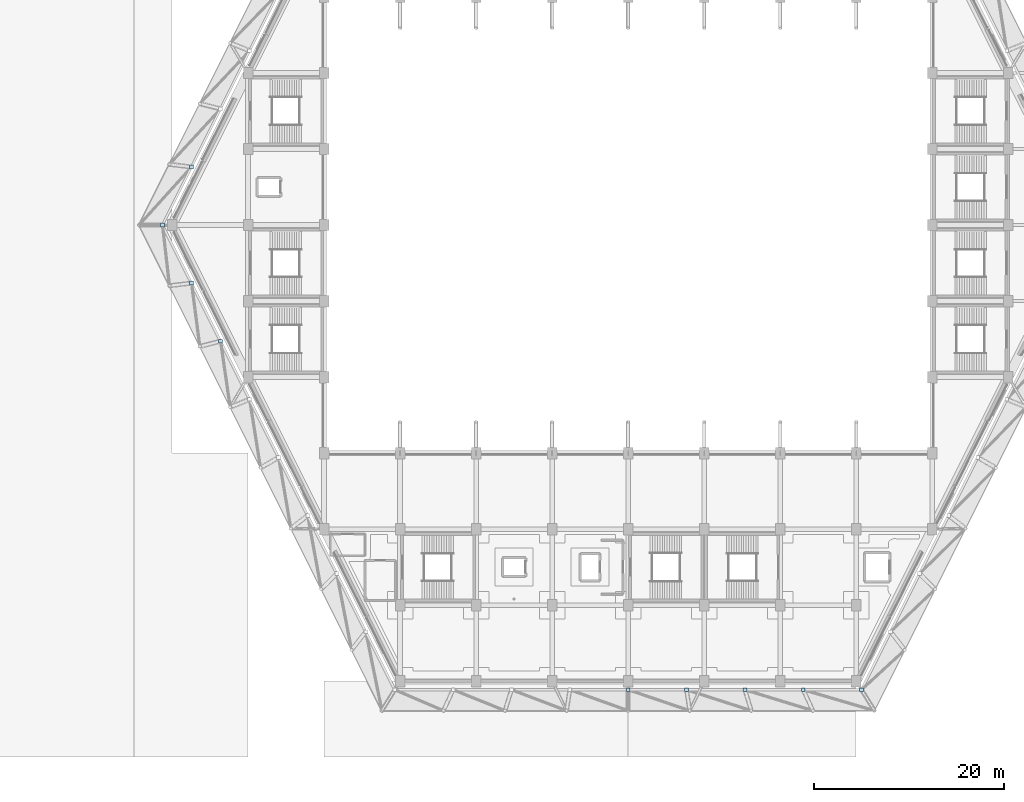
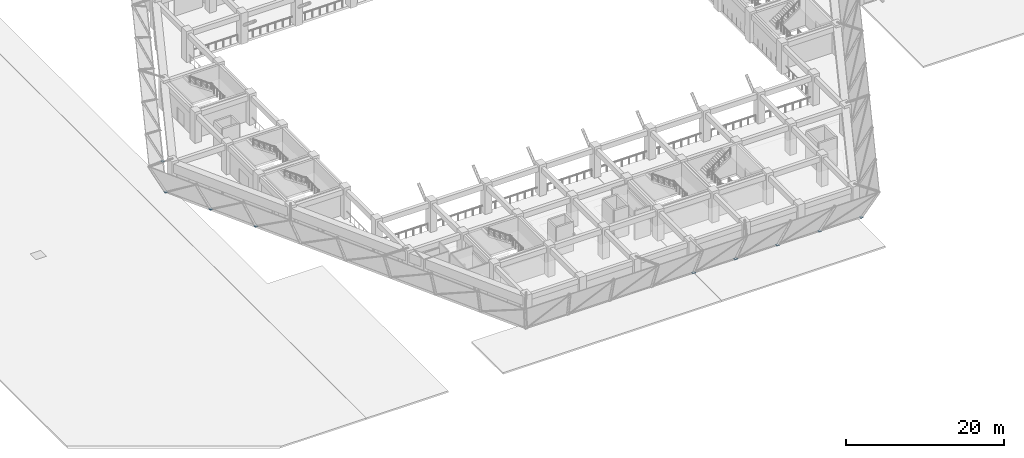
# One storey, part 22 of 46: 9 plates.
"""IFC4 building model written with IfcOpenShell, lengths in metres."""

from ifc_helpers import new_model, si_unit, direction, frame, origin, origin_2d, place, context, subcontext, project, spatial, rectangle, extrude, material, layer, layer_set, type_object, element, save


model = new_model("IFC4")

# Units and contexts
model_context = context("Model", 3, precision=1e-05, world=origin(), true_north=direction((0.0, 1.0)))
body_context = subcontext(model_context, "Body", "Model", "MODEL_VIEW")
ifc_project = project(units=[si_unit("LENGTHUNIT", "METRE"), si_unit("AREAUNIT", "SQUARE_METRE"), si_unit("VOLUMEUNIT", "CUBIC_METRE"), si_unit("PLANEANGLEUNIT", "RADIAN"), si_unit("MASSUNIT", "GRAM", prefix="KILO")], contexts=[model_context])

# Site, building, storey
site_placement = place(None, origin())
site = spatial("IfcSite", under=ifc_project, at=site_placement, CompositionType="ELEMENT")
building_placement = place(site_placement, origin())
building = spatial("IfcBuilding", under=site, at=building_placement, Name="Tazarka Park Arena", CompositionType="ELEMENT")
storey_placement = place(building_placement, frame((0.0, 0.0, 10.199951171875)))
storey = spatial("IfcBuildingStorey", under=building, at=storey_placement, Name="L02", CompositionType="ELEMENT", Elevation=10.199951171875)

# Plates
ifc_material = material(Name="Steel S460", Category="steel")
ifc_layer = layer(ifc_material, 0.02587890625, Name="Steel S460")
ifc_layer_set = layer_set([ifc_layer], Name="Steel S460")
plate_type = type_object("IfcPlateType", Name="PLT-PL-14", PredefinedType="USERDEFINED", material=ifc_layer_set)
for number, where, z_axis, x_axis, name in (
    (1, (88.0, 15.10009765625, -0.012939453125), (0.0, 0.0, 1.0), (1.0, 0.0, 0.0), "GMP-B-04"),
    (2, (94.138916015625, 15.10009765625, -0.012939453125), (0.0, 0.0, 1.0), (1.0, 0.0, 0.0), "GMP-B-05"),
    (3, (100.278076171875, 15.10009765625, -0.012939453125), (0.0, 0.0, 1.0), (1.0, 0.0, 0.0), "GMP-B-06"),
    (4, (106.417236328125, 15.10009765625, -0.012939453125), (0.0, 0.0, 1.0), (1.0, 0.0, 0.0), "GMP-B-07"),
    (5, (112.55615234375, 15.10009765625, -0.012939453125), (0.0, 0.0, 1.0), (1.0, 0.0, 0.0), "GMP-B-08"),
    (6, (42.050048828125, 70.112548828125, -0.012939453125), (0.0, 0.0, 1.0), (1.0, 0.0, 0.0), "GMP-B-39"),
    (7, (38.993896484375, 64.0, -0.012939453125), (0.0, 0.0, 1.0), (1.0, 0.0, 0.0), "GMP-B-40"),
    (8, (42.050048828125, 57.887451171875, -0.012939453125), (0.0, 0.0, 1.0), (1.0, 0.0, 0.0), "GMP-B-41"),
    (9, (45.106201171875, 51.77490234375, -0.012939453125), (0.0, 0.0, 1.0), (1.0, 0.0, 0.0), "GMP-B-42"),
):
    element("IfcPlate", number, at=place(storey_placement, frame(where, z_axis=z_axis, x_axis=x_axis)), inside=storey, type_object=plate_type, Name=name, ObjectType="STIFFENER", PredefinedType="USERDEFINED", context=body_context, shape_type="SweptSolid", body=[
        extrude(rectangle(XDim=0.39990234375, YDim=0.39990234375, at=origin_2d()), origin(), (0.0, 0.0, 1.0), 0.02587890625),
    ])

save(model, "model.ifc")
